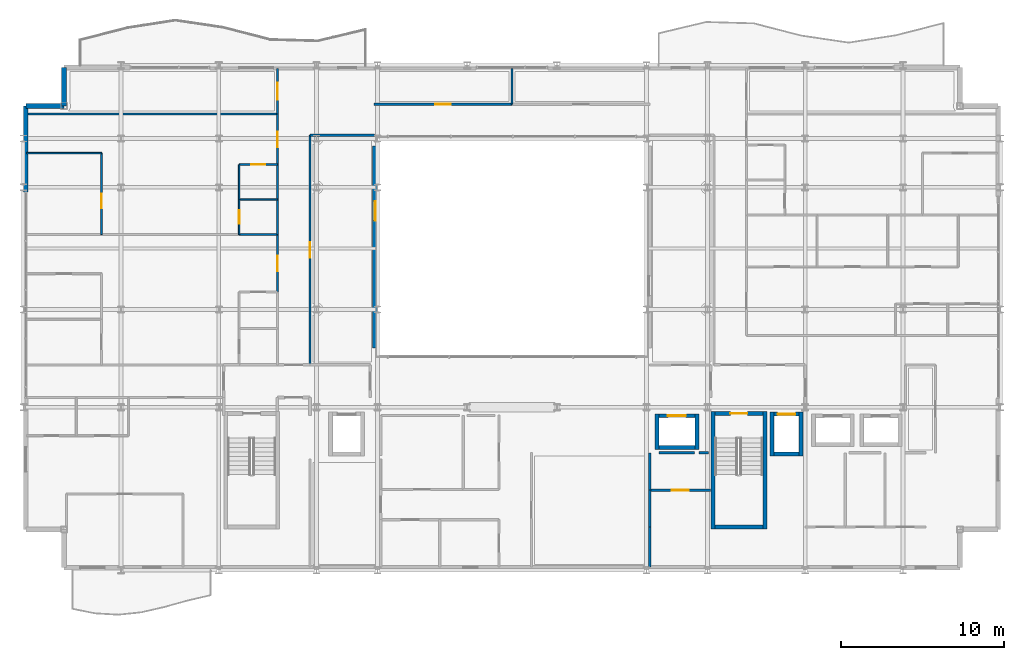
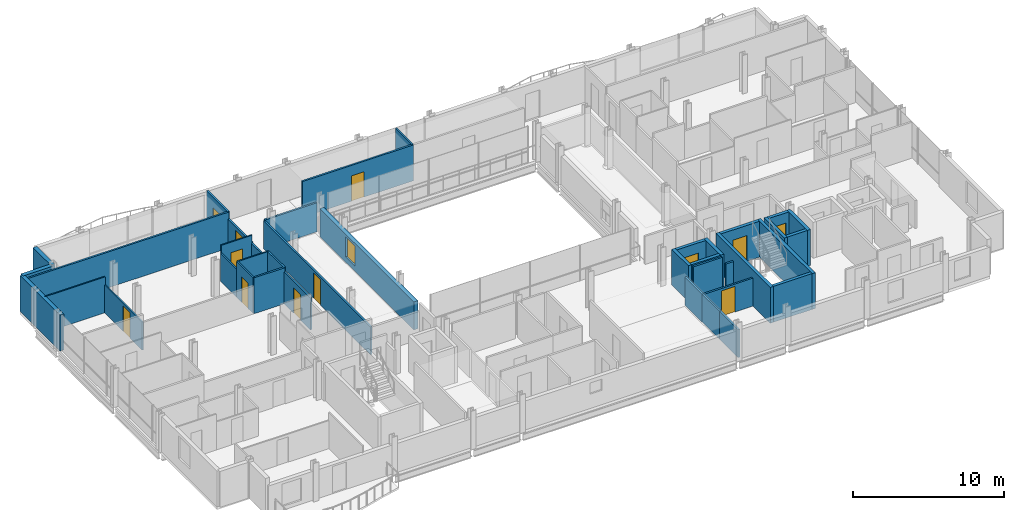
# One storey, part 35 of 41: 39 walls, 12 doors, 1 window, 13 openings.
"""IFC4 building model written with IfcOpenShell, lengths in metres."""

from ifc_helpers import new_model, si_unit, direction, frame, frame_2d, origin, place, context, subcontext, project, spatial, rectangle, extrude, material, layer, layer_set, type_object, element, fill, save


model = new_model("IFC4")

# Units and contexts
model_context = context("Model", 3, precision=1e-05, world=origin(), true_north=direction((0.0, 1.0)))
body_context = subcontext(model_context, "Body", "Model", "MODEL_VIEW")
ifc_project = project(units=[si_unit("LENGTHUNIT", "METRE"), si_unit("AREAUNIT", "SQUARE_METRE"), si_unit("VOLUMEUNIT", "CUBIC_METRE"), si_unit("PLANEANGLEUNIT", "RADIAN"), si_unit("MASSUNIT", "GRAM", prefix="KILO")], contexts=[model_context])

# Site, building, storey
site_placement = place(None, origin())
site = spatial("IfcSite", under=ifc_project, at=site_placement, CompositionType="ELEMENT")
building_placement = place(site_placement, origin())
building = spatial("IfcBuilding", under=site, at=building_placement, Name="Brevholm Reach", CompositionType="ELEMENT")
storey_placement = place(building_placement, frame((0.0, 0.0, 169.699951171875)))
storey = spatial("IfcBuildingStorey", under=building, at=storey_placement, Name="L51", CompositionType="ELEMENT", Elevation=169.699951171875)

# Walls
ifc_material_1 = material(Name="Concrete C45/55", Category="concrete")
ifc_layer_1 = layer(ifc_material_1, 0.239990234375)
ifc_layer_set_1 = layer_set([ifc_layer_1], Name="Concrete C45/55")
wall_type_1 = type_object("IfcWallType", Name="WAL-COR-240", PredefinedType="SHEAR", material=ifc_layer_set_1)
for number, where, z_axis, x_axis, name in (
    (1, (42.330078125, 2.5400390625, 0.0), (0.0, 0.0, 1.0), (0.0, 1.0, 0.0), "L51 Escape Stair ST-2 Core Wall W"),
    (2, (45.52001953125, 2.5400390625, 0.0), (0.0, 0.0, 1.0), (0.0, 1.0, 0.0), "L51 Escape Stair ST-2 Core Wall E"),
):
    element("IfcWall", number, at=place(storey_placement, frame(where, z_axis=z_axis, x_axis=x_axis)), inside=storey, type_object=wall_type_1, Name=name, PredefinedType="SHEAR", context=body_context, shape_type="SweptSolid", body=[
        extrude(rectangle(XDim=7.199951171875, YDim=0.239990234375, at=frame_2d((3.60009765625, 0.0))), origin(), (0.0, 0.0, 1.0), 2.89013671875),
    ])
wall_1_placement = place(storey_placement, frame((42.449951171875, 2.659912109375, 0.0), z_axis=(0.0, 0.0, 1.0), x_axis=(1.0, 0.0, 0.0)))
element("IfcWall", 3, at=wall_1_placement, inside=storey, type_object=wall_type_1, Name="L51 Escape Stair ST-2 Core Wall S", PredefinedType="SHEAR", context=body_context, shape_type="SweptSolid", body=[
    extrude(rectangle(XDim=2.949951171875, YDim=0.239990234375, at=frame_2d((1.47509765625, 0.0))), origin(), (0.0, 0.0, 1.0), 2.89013671875),
])

# Wall, opening, door
wall_2_placement = place(storey_placement, frame((45.39990234375, 9.6201171875, 0.0), z_axis=(0.0, 0.0, 1.0), x_axis=(-1.0, 0.0, 0.0)))
wall_2 = element("IfcWall", 4, at=wall_2_placement, inside=storey, type_object=wall_type_1, Name="L51 Escape Stair ST-2 Core Wall N", PredefinedType="SHEAR", context=body_context, shape_type="SweptSolid", body=[
    extrude(rectangle(XDim=2.949951171875, YDim=0.239990234375, at=frame_2d((1.47509765625, 0.0))), origin(), (0.0, 0.0, 1.0), 2.89013671875),
])
opening_1_placement = place(wall_2_placement, frame((0.949951171875, 0.0, 0.0)))
opening_1 = element("IfcOpeningElement", 5, at=opening_1_placement, cuts=wall_2, Name="Opening SD-ST-2", PredefinedType="OPENING", context=body_context, shape_type="SweptSolid", body=[
    extrude(rectangle(XDim=1.050048828125, YDim=2.06005859375, at=frame_2d((0.52490234375, 1.030029296875))), frame((0.0, 0.1298828125, 0.0), z_axis=(0.0, -1.0, 0.0), x_axis=(1.0, 0.0, 0.0)), (0.0, 0.0, 1.0), 0.260009765625),
])
ifc_material_2 = material(Name="Hardwood-Lipped Steel-Core Fire and Smoke Door", Category="steel")
door_type_1 = type_object("IfcDoorType", Name="DOR-INT-FD60S", OperationType="NOTDEFINED", PredefinedType="DOOR", material=ifc_material_2)
door_1_placement = place(opening_1_placement, origin())
door_1 = element("IfcDoor", 6, at=door_1_placement, inside=storey, type_object=door_type_1, Name="L51 Protected Stair ST-2 Lobby Door", OperationType="SINGLE_SWING_RIGHT", OverallHeight=2.06005859375, OverallWidth=1.050048828125, PredefinedType="DOOR", context=body_context, shape_type="SweptSolid", body=[
    extrude(rectangle(XDim=1.050048828125, YDim=2.06005859375, at=frame_2d((0.52490234375, 1.030029296875))), frame((0.0, 0.02490234375, 0.0), z_axis=(0.0, -1.0, 0.0), x_axis=(1.0, 0.0, 0.0)), (0.0, 0.0, 1.0), 0.050048828125),
])
fill(opening_1, door_1)

# Walls
for number, where, z_axis, x_axis, name in (
    (7, (45.969970703125, 7.0, 0.0), (0.0, 0.0, 1.0), (0.0, 1.0, 0.0), "L51 Lift FFL-2 Shaft Wall W"),
    (8, (47.72998046875, 7.0, 0.0), (0.0, 0.0, 1.0), (0.0, 1.0, 0.0), "L51 Lift FFL-2 Shaft Wall E"),
):
    element("IfcWall", number, at=place(storey_placement, frame(where, z_axis=z_axis, x_axis=x_axis)), inside=storey, type_object=wall_type_1, Name=name, PredefinedType="SHEAR", context=body_context, shape_type="SweptSolid", body=[
        extrude(rectangle(XDim=2.699951171875, YDim=0.239990234375, at=frame_2d((1.35009765625, 0.0))), origin(), (0.0, 0.0, 1.0), 2.89013671875),
    ])
wall_3_placement = place(storey_placement, frame((46.090087890625, 7.1201171875, 0.0), z_axis=(0.0, 0.0, 1.0), x_axis=(1.0, 0.0, 0.0)))
element("IfcWall", 9, at=wall_3_placement, inside=storey, type_object=wall_type_1, Name="L51 Lift FFL-2 Shaft Wall S", PredefinedType="SHEAR", context=body_context, shape_type="SweptSolid", body=[
    extrude(rectangle(XDim=1.52001953125, YDim=0.239990234375, at=frame_2d((0.760009765625, 0.0))), origin(), (0.0, 0.0, 1.0), 2.89013671875),
])

# Wall, opening, door
wall_4_placement = place(storey_placement, frame((46.090087890625, 9.580078125, 0.0), z_axis=(0.0, 0.0, 1.0), x_axis=(1.0, 0.0, 0.0)))
wall_4 = element("IfcWall", 10, at=wall_4_placement, inside=storey, type_object=wall_type_1, Name="L51 Lift FFL-2 Shaft Wall N", PredefinedType="SHEAR", context=body_context, shape_type="SweptSolid", body=[
    extrude(rectangle(XDim=1.52001953125, YDim=0.239990234375, at=frame_2d((0.760009765625, 0.0))), origin(), (0.0, 0.0, 1.0), 2.89013671875),
])
opening_2_placement = place(wall_4_placement, frame((0.2099609375, 0.0, 0.0)))
opening_2 = element("IfcOpeningElement", 11, at=opening_2_placement, cuts=wall_4, Name="Opening LD-FFL-2", PredefinedType="OPENING", context=body_context, shape_type="SweptSolid", body=[
    extrude(rectangle(XDim=1.10009765625, YDim=2.06005859375, at=frame_2d((0.550048828125, 1.030029296875))), frame((0.0, 0.1298828125, 0.0), z_axis=(0.0, -1.0, 0.0), x_axis=(1.0, 0.0, 0.0)), (0.0, 0.0, 1.0), 0.260009765625),
])
ifc_material_3 = material(Name="Brushed Stainless Steel Fire-Rated Sliding Lift Door", Category="steel")
door_type_2 = type_object("IfcDoorType", Name="DOR-LFT-1100", OperationType="NOTDEFINED", PredefinedType="DOOR", material=ifc_material_3)
door_2_placement = place(opening_2_placement, origin())
door_2 = element("IfcDoor", 12, at=door_2_placement, inside=storey, type_object=door_type_2, Name="L51 Lift FFL-2 Sliding Landing Door", OperationType="SLIDING_TO_RIGHT", OverallHeight=2.06005859375, OverallWidth=1.10009765625, PredefinedType="DOOR", context=body_context, shape_type="SweptSolid", body=[
    extrude(rectangle(XDim=1.10009765625, YDim=2.06005859375, at=frame_2d((0.550048828125, 1.030029296875))), frame((0.0, 0.02490234375, 0.0), z_axis=(0.0, -1.0, 0.0), x_axis=(1.0, 0.0, 0.0)), (0.0, 0.0, 1.0), 0.050048828125),
])
fill(opening_2, door_2)

# Walls
for number, where, z_axis, x_axis, name in (
    (13, (38.889892578125, 7.39990234375, 0.0), (0.0, 0.0, 1.0), (0.0, 1.0, 0.0), "L51 Lift PL-S1 Shaft Wall W"),
    (14, (41.35009765625, 7.39990234375, 0.0), (0.0, 0.0, 1.0), (0.0, 1.0, 0.0), "L51 Lift PL-S1 Shaft Wall E"),
):
    element("IfcWall", number, at=place(storey_placement, frame(where, z_axis=z_axis, x_axis=x_axis)), inside=storey, type_object=wall_type_1, Name=name, PredefinedType="SHEAR", context=body_context, shape_type="SweptSolid", body=[
        extrude(rectangle(XDim=2.2001953125, YDim=0.239990234375, at=frame_2d((1.10009765625, 0.0))), origin(), (0.0, 0.0, 1.0), 2.89013671875),
    ])
wall_5_placement = place(storey_placement, frame((39.010009765625, 7.52001953125, 0.0), z_axis=(0.0, 0.0, 1.0), x_axis=(1.0, 0.0, 0.0)))
element("IfcWall", 15, at=wall_5_placement, inside=storey, type_object=wall_type_1, Name="L51 Lift PL-S1 Shaft Wall S", PredefinedType="SHEAR", context=body_context, shape_type="SweptSolid", body=[
    extrude(rectangle(XDim=2.219970703125, YDim=0.239990234375, at=frame_2d((1.10986328125, 0.0))), origin(), (0.0, 0.0, 1.0), 2.89013671875),
])

# Wall, opening, door
wall_6_placement = place(storey_placement, frame((39.010009765625, 9.47998046875, 0.0), z_axis=(0.0, 0.0, 1.0), x_axis=(1.0, 0.0, 0.0)))
wall_6 = element("IfcWall", 16, at=wall_6_placement, inside=storey, type_object=wall_type_1, Name="L51 Lift PL-S1 Shaft Wall N", PredefinedType="SHEAR", context=body_context, shape_type="SweptSolid", body=[
    extrude(rectangle(XDim=2.219970703125, YDim=0.239990234375, at=frame_2d((1.10986328125, 0.0))), origin(), (0.0, 0.0, 1.0), 2.89013671875),
])
opening_3_placement = place(wall_6_placement, frame((0.56005859375, 0.0, 0.0)))
opening_3 = element("IfcOpeningElement", 17, at=opening_3_placement, cuts=wall_6, Name="Opening LD-PL-S1", PredefinedType="OPENING", context=body_context, shape_type="SweptSolid", body=[
    extrude(rectangle(XDim=1.10009765625, YDim=2.06005859375, at=frame_2d((0.550048828125, 1.030029296875))), frame((0.0, 0.1298828125, 0.0), z_axis=(0.0, -1.0, 0.0), x_axis=(1.0, 0.0, 0.0)), (0.0, 0.0, 1.0), 0.260009765625),
])
door_3_placement = place(opening_3_placement, origin())
door_3 = element("IfcDoor", 18, at=door_3_placement, inside=storey, type_object=door_type_2, Name="L51 Lift PL-S1 Sliding Landing Door", OperationType="SLIDING_TO_LEFT", OverallHeight=2.06005859375, OverallWidth=1.10009765625, PredefinedType="DOOR", context=body_context, shape_type="SweptSolid", body=[
    extrude(rectangle(XDim=1.10009765625, YDim=2.06005859375, at=frame_2d((0.550048828125, 1.030029296875))), frame((0.0, 0.02490234375, 0.0), z_axis=(0.0, -1.0, 0.0), x_axis=(1.0, 0.0, 0.0)), (0.0, 0.0, 1.0), 0.050048828125),
])
fill(opening_3, door_3)

# Walls
ifc_material_4 = material(Name="Concrete C40/50", Category="concrete")
ifc_layer_2 = layer(ifc_material_4, 0.300048828125)
ifc_layer_set_2 = layer_set([ifc_layer_2], Name="Concrete C40/50")
wall_type_2 = type_object("IfcWallType", Name="WAL-EXT-300", PredefinedType="STANDARD", material=ifc_layer_set_2)
for number, where, z_axis, x_axis, name in (
    (19, (2.5, 30.85009765625, 0.0), (0.0, 0.0, 1.0), (0.0, -1.0, 0.0), "L51 Facade Wall WAL-L51-CNW1"),
    (20, (2.5, 28.5, 0.0), (0.0, 0.0, 1.0), (-1.0, 0.0, 0.0), "L51 Facade Wall WAL-L51-CNW2"),
):
    element("IfcWall", number, at=place(storey_placement, frame(where, z_axis=z_axis, x_axis=x_axis)), inside=storey, type_object=wall_type_2, Name=name, PredefinedType="STANDARD", context=body_context, shape_type="SweptSolid", body=[
        extrude(rectangle(XDim=2.35009765625, YDim=0.300048828125, at=frame_2d((1.175048828125, 0.0))), origin(), (0.0, 0.0, 1.0), 2.89013671875),
    ])
wall_7_placement = place(storey_placement, frame((0.14990234375, 28.5, 0.0), z_axis=(0.0, 0.0, 1.0), x_axis=(0.0, -1.0, 0.0)))
element("IfcWall", 21, at=wall_7_placement, inside=storey, type_object=wall_type_2, Name="L51 Facade Wall WAL-L51-W-N", PredefinedType="STANDARD", context=body_context, shape_type="SweptSolid", body=[
    extrude(rectangle(XDim=5.280029296875, YDim=0.300048828125, at=frame_2d((2.64013671875, 0.0))), origin(), (0.0, 0.0, 1.0), 2.89013671875),
])

# Wall, opening, window
wall_8_placement = place(storey_placement, frame((21.60009765625, 26.050048828125, 0.0), z_axis=(0.0, 0.0, 1.0), x_axis=(0.0, -1.0, 0.0)))
wall_8 = element("IfcWall", 22, at=wall_8_placement, inside=storey, type_object=wall_type_2, Name="L51 Facade Wall WAL-L51-AT-W", PredefinedType="STANDARD", context=body_context, shape_type="SweptSolid", body=[
    extrude(rectangle(XDim=12.400146484375, YDim=0.300048828125, at=frame_2d((6.2001953125, 0.0))), origin(), (0.0, 0.0, 1.0), 2.2529296875),
])
opening_4_placement = place(wall_8_placement, frame((3.39990234375, 0.0, 0.43310546875)))
opening_4 = element("IfcOpeningElement", 23, at=opening_4_placement, cuts=wall_8, Name="Opening WN-08", PredefinedType="OPENING", context=body_context, shape_type="SweptSolid", body=[
    extrude(rectangle(XDim=1.199951171875, YDim=1.60009765625, at=frame_2d((0.60009765625, 0.800048828125))), frame((0.0, 0.159912109375, 0.0), z_axis=(0.0, -1.0, 0.0), x_axis=(1.0, 0.0, 0.0)), (0.0, 0.0, 1.0), 0.320068359375),
])
ifc_material_5 = material(Name="Dark Anodised Aluminium and Solar-Control IGU Glass", Category="aluminium")
window_type = type_object("IfcWindowType", Name="WIN-RES-1200", PartitioningType="SINGLE_PANEL", PredefinedType="WINDOW", material=ifc_material_5)
window_placement = place(opening_4_placement, origin())
window = element("IfcWindow", 24, at=window_placement, inside=storey, type_object=window_type, Name="L51 Window WIN-L51-AT-W1", OverallHeight=1.60009765625, OverallWidth=1.199951171875, PartitioningType="SINGLE_PANEL", PredefinedType="WINDOW", context=body_context, shape_type="SweptSolid", body=[
    extrude(rectangle(XDim=1.199951171875, YDim=1.60009765625, at=frame_2d((0.60009765625, 0.800048828125))), frame((0.0, 0.030029296875, 0.0), z_axis=(0.0, -1.0, 0.0), x_axis=(1.0, 0.0, 0.0)), (0.0, 0.0, 1.0), 0.06005859375),
])
fill(opening_4, window)

# Wall
ifc_material_6 = material(Name="Moisture-Resistant Acoustic Gypsum Stud Partition 100 mm", Category="gypsum")
ifc_layer_3 = layer(ifc_material_6, 0.10009765625)
ifc_layer_set_3 = layer_set([ifc_layer_3], Name="Moisture-Resistant Acoustic Gypsum Stud Partition 100 mm")
wall_type_3 = type_object("IfcWallType", Name="WAL-PRT-100", PredefinedType="PARTITIONING", material=ifc_layer_set_3)
wall_9_placement = place(storey_placement, frame((13.25, 22.75, 0.0), z_axis=(0.0, 0.0, 1.0), x_axis=(1.0, 0.0, 0.0)))
element("IfcWall", 25, at=wall_9_placement, inside=storey, type_object=wall_type_3, Name="L51 Internal Partition 087", PredefinedType="PARTITIONING", context=body_context, shape_type="SweptSolid", body=[
    extrude(rectangle(XDim=2.345947265625, YDim=0.10009765625, at=frame_2d((1.1728515625, 0.0))), origin(), (0.0, 0.0, 1.0), 2.89013671875),
])

# Wall, opening, door
wall_10_placement = place(storey_placement, frame((13.25, 20.60400390625, 0.0), z_axis=(0.0, 0.0, 1.0), x_axis=(0.0, 1.0, 0.0)))
wall_10 = element("IfcWall", 26, at=wall_10_placement, inside=storey, type_object=wall_type_3, Name="L51 Internal Partition 088", PredefinedType="PARTITIONING", context=body_context, shape_type="SweptSolid", body=[
    extrude(rectangle(XDim=2.14599609375, YDim=0.10009765625, at=frame_2d((1.072998046875, 0.0))), origin(), (0.0, 0.0, 1.0), 2.89013671875),
])
opening_5_placement = place(wall_10_placement, frame((0.6630859375, 0.0, 0.0)))
opening_5 = element("IfcOpeningElement", 27, at=opening_5_placement, cuts=wall_10, Name="Opening ID-03", PredefinedType="OPENING", context=body_context, shape_type="SweptSolid", body=[
    extrude(rectangle(XDim=0.820068359375, YDim=2.02001953125, at=frame_2d((0.41015625, 1.010009765625))), frame((0.0, 0.06005859375, 0.0), z_axis=(0.0, -1.0, 0.0), x_axis=(1.0, 0.0, 0.0)), (0.0, 0.0, 1.0), 0.1201171875),
])
ifc_material_7 = material(Name="Moisture-Resistant Painted Timber Internal Bathroom Door", Category="wood")
door_type_3 = type_object("IfcDoorType", Name="DOR-BATH-820", OperationType="NOTDEFINED", PredefinedType="DOOR", material=ifc_material_7)
door_4_placement = place(opening_5_placement, origin())
door_4 = element("IfcDoor", 28, at=door_4_placement, inside=storey, type_object=door_type_3, Name="L51 Internal Door 038", OperationType="SINGLE_SWING_LEFT", OverallHeight=2.02001953125, OverallWidth=0.820068359375, PredefinedType="DOOR", context=body_context, shape_type="SweptSolid", body=[
    extrude(rectangle(XDim=0.820068359375, YDim=2.02001953125, at=frame_2d((0.41015625, 1.010009765625))), frame((0.0, 0.02490234375, 0.0), z_axis=(0.0, -1.0, 0.0), x_axis=(1.0, 0.0, 0.0)), (0.0, 0.0, 1.0), 0.050048828125),
])
fill(opening_5, door_4)

wall_11_placement = place(storey_placement, frame((13.25, 24.89990234375, 0.0), z_axis=(0.0, 0.0, 1.0), x_axis=(1.0, 0.0, 0.0)))
wall_11 = element("IfcWall", 29, at=wall_11_placement, inside=storey, type_object=wall_type_3, Name="L51 Internal Partition 089", PredefinedType="PARTITIONING", context=body_context, shape_type="SweptSolid", body=[
    extrude(rectangle(XDim=2.345947265625, YDim=0.10009765625, at=frame_2d((1.1728515625, 0.0))), origin(), (0.0, 0.0, 1.0), 2.89013671875),
])
opening_6_placement = place(wall_11_placement, frame((0.73291015625, 0.0, 0.0)))
opening_6 = element("IfcOpeningElement", 30, at=opening_6_placement, cuts=wall_11, Name="Opening ID-01", PredefinedType="OPENING", context=body_context, shape_type="SweptSolid", body=[
    extrude(rectangle(XDim=0.8798828125, YDim=2.0400390625, at=frame_2d((0.43994140625, 1.02001953125))), frame((0.0, 0.06005859375, 0.0), z_axis=(0.0, -1.0, 0.0), x_axis=(1.0, 0.0, 0.0)), (0.0, 0.0, 1.0), 0.1201171875),
])
ifc_material_8 = material(Name="Lacquered Ash Solid-Core Acoustic Internal Door", Category="timber")
door_type_4 = type_object("IfcDoorType", Name="DOR-INT-880", OperationType="NOTDEFINED", PredefinedType="DOOR", material=ifc_material_8)
door_5_placement = place(opening_6_placement, origin())
door_5 = element("IfcDoor", 31, at=door_5_placement, inside=storey, type_object=door_type_4, Name="L51 Internal Door 039", OperationType="SINGLE_SWING_RIGHT", OverallHeight=2.0400390625, OverallWidth=0.8798828125, PredefinedType="DOOR", context=body_context, shape_type="SweptSolid", body=[
    extrude(rectangle(XDim=0.8798828125, YDim=2.0400390625, at=frame_2d((0.43994140625, 1.02001953125))), frame((0.0, 0.02490234375, 0.0), z_axis=(0.0, -1.0, 0.0), x_axis=(1.0, 0.0, 0.0)), (0.0, 0.0, 1.0), 0.050048828125),
])
fill(opening_6, door_5)

# Wall
wall_12_placement = place(storey_placement, frame((13.25, 22.75390625, 0.0), z_axis=(0.0, 0.0, 1.0), x_axis=(0.0, 1.0, 0.0)))
element("IfcWall", 32, at=wall_12_placement, inside=storey, type_object=wall_type_3, Name="L51 Internal Partition 090", PredefinedType="PARTITIONING", context=body_context, shape_type="SweptSolid", body=[
    extrude(rectangle(XDim=2.14599609375, YDim=0.10009765625, at=frame_2d((1.072998046875, 0.0))), origin(), (0.0, 0.0, 1.0), 2.2529296875),
])

# Wall, opening, door
wall_13_placement = place(storey_placement, frame((4.800048828125, 20.60400390625, 0.0), z_axis=(0.0, 0.0, 1.0), x_axis=(0.0, 1.0, 0.0)))
wall_13 = element("IfcWall", 33, at=wall_13_placement, inside=storey, type_object=wall_type_3, Name="L51 Internal Partition 091", PredefinedType="PARTITIONING", context=body_context, shape_type="SweptSolid", body=[
    extrude(rectangle(XDim=4.99609375, YDim=0.10009765625, at=frame_2d((2.498046875, 0.0))), origin(), (0.0, 0.0, 1.0), 2.2529296875),
])
opening_7_placement = place(wall_13_placement, frame((1.617919921875, 0.0, 0.0)))
opening_7 = element("IfcOpeningElement", 34, at=opening_7_placement, cuts=wall_13, Name="Opening ID-01", PredefinedType="OPENING", context=body_context, shape_type="SweptSolid", body=[
    extrude(rectangle(XDim=0.8798828125, YDim=2.0400390625, at=frame_2d((0.43994140625, 1.02001953125))), frame((0.0, 0.06005859375, 0.0), z_axis=(0.0, -1.0, 0.0), x_axis=(1.0, 0.0, 0.0)), (0.0, 0.0, 1.0), 0.1201171875),
])
door_6_placement = place(opening_7_placement, origin())
door_6 = element("IfcDoor", 35, at=door_6_placement, inside=storey, type_object=door_type_4, Name="L51 Internal Door 040", OperationType="SINGLE_SWING_LEFT", OverallHeight=2.0400390625, OverallWidth=0.8798828125, PredefinedType="DOOR", context=body_context, shape_type="SweptSolid", body=[
    extrude(rectangle(XDim=0.8798828125, YDim=2.0400390625, at=frame_2d((0.43994140625, 1.02001953125))), frame((0.0, 0.02490234375, 0.0), z_axis=(0.0, -1.0, 0.0), x_axis=(1.0, 0.0, 0.0)), (0.0, 0.0, 1.0), 0.050048828125),
])
fill(opening_7, door_6)

# Walls
wall_14_placement = place(storey_placement, frame((0.199951171875, 25.60009765625, 0.0), z_axis=(0.0, 0.0, 1.0), x_axis=(1.0, 0.0, 0.0)))
element("IfcWall", 36, at=wall_14_placement, inside=storey, type_object=wall_type_3, Name="L51 Internal Partition 092", PredefinedType="PARTITIONING", context=body_context, shape_type="SweptSolid", body=[
    extrude(rectangle(XDim=4.60009765625, YDim=0.10009765625, at=frame_2d((2.300048828125, 0.0))), origin(), (0.0, 0.0, 1.0), 2.89013671875),
])
wall_15_placement = place(storey_placement, frame((30.0, 28.60400390625, 0.0), z_axis=(0.0, 0.0, 1.0), x_axis=(0.0, 1.0, 0.0)))
element("IfcWall", 37, at=wall_15_placement, inside=storey, type_object=wall_type_3, Name="L51 Internal Partition 117", PredefinedType="PARTITIONING", context=body_context, shape_type="SweptSolid", body=[
    extrude(rectangle(XDim=2.196044921875, YDim=0.10009765625, at=frame_2d((1.09814453125, 0.0))), origin(), (0.0, 0.0, 1.0), 2.89013671875),
])
ifc_material_9 = material(Name="Twin-Stud Acoustic Fire-Rated Gypsum Partition 140 mm", Category="gypsum")
ifc_layer_4 = layer(ifc_material_9, 0.139892578125)
ifc_layer_set_4 = layer_set([ifc_layer_4], Name="Twin-Stud Acoustic Fire-Rated Gypsum Partition 140 mm")
wall_type_4 = type_object("IfcWallType", Name="WAL-PRT-140", PredefinedType="PARTITIONING", material=ifc_layer_set_4)
wall_16_placement = place(storey_placement, frame((38.449951171875, 0.179931640625, 0.0), z_axis=(0.0, 0.0, 1.0), x_axis=(0.0, 1.0, 0.0)))
element("IfcWall", 38, at=wall_16_placement, inside=storey, type_object=wall_type_4, Name="L51 Internal Partition 013", PredefinedType="PARTITIONING", context=body_context, shape_type="SweptSolid", body=[
    extrude(rectangle(XDim=2.4814453125, YDim=0.139892578125, at=frame_2d((1.24072265625, 0.0))), origin(), (0.0, 0.0, 1.0), 2.2529296875),
])
wall_17_placement = place(storey_placement, frame((38.449951171875, 2.642578125, 0.0), z_axis=(0.0, 0.0, 1.0), x_axis=(0.0, 1.0, 0.0)))
element("IfcWall", 39, at=wall_17_placement, inside=storey, type_object=wall_type_4, Name="L51 Internal Partition 014", PredefinedType="PARTITIONING", context=body_context, shape_type="SweptSolid", body=[
    extrude(rectangle(XDim=2.268798828125, YDim=0.139892578125, at=frame_2d((1.13427734375, 0.0))), origin(), (0.0, 0.0, 1.0), 2.2529296875),
])
wall_18_placement = place(storey_placement, frame((38.449951171875, 4.892578125, 0.0), z_axis=(0.0, 0.0, 1.0), x_axis=(0.0, 1.0, 0.0)))
element("IfcWall", 40, at=wall_18_placement, inside=storey, type_object=wall_type_4, Name="L51 Internal Partition 015", PredefinedType="PARTITIONING", context=body_context, shape_type="SweptSolid", body=[
    extrude(rectangle(XDim=2.307373046875, YDim=0.139892578125, at=frame_2d((1.15380859375, 0.0))), origin(), (0.0, 0.0, 1.0), 2.2529296875),
])

# Wall, opening, door
wall_19_placement = place(storey_placement, frame((38.4541015625, 4.89990234375, 0.0), z_axis=(0.0, 0.0, 1.0), x_axis=(1.0, 0.0, 0.0)))
wall_19 = element("IfcWall", 41, at=wall_19_placement, inside=storey, type_object=wall_type_4, Name="L51 Internal Partition 024", PredefinedType="PARTITIONING", context=body_context, shape_type="SweptSolid", body=[
    extrude(rectangle(XDim=3.745849609375, YDim=0.139892578125, at=frame_2d((1.873046875, 0.0))), origin(), (0.0, 0.0, 1.0), 2.2529296875),
])
opening_8_placement = place(wall_19_placement, frame((1.347900390625, 0.0, 0.0)))
opening_8 = element("IfcOpeningElement", 42, at=opening_8_placement, cuts=wall_19, Name="Opening FD-01", PredefinedType="OPENING", context=body_context, shape_type="SweptSolid", body=[
    extrude(rectangle(XDim=1.050048828125, YDim=2.06005859375, at=frame_2d((0.52490234375, 1.030029296875))), frame((0.0, 0.079833984375, 0.0), z_axis=(0.0, -1.0, 0.0), x_axis=(1.0, 0.0, 0.0)), (0.0, 0.0, 1.0), 0.159912109375),
])
door_7_placement = place(opening_8_placement, origin())
door_7 = element("IfcDoor", 43, at=door_7_placement, inside=storey, type_object=door_type_1, Name="L51 Internal Door 012", OperationType="SINGLE_SWING_LEFT", OverallHeight=2.06005859375, OverallWidth=1.050048828125, PredefinedType="DOOR", context=body_context, shape_type="SweptSolid", body=[
    extrude(rectangle(XDim=1.050048828125, YDim=2.06005859375, at=frame_2d((0.52490234375, 1.030029296875))), frame((0.0, 0.02490234375, 0.0), z_axis=(0.0, -1.0, 0.0), x_axis=(1.0, 0.0, 0.0)), (0.0, 0.0, 1.0), 0.050048828125),
])
fill(opening_8, door_7)

wall_20_placement = place(storey_placement, frame((15.60009765625, 17.064697265625, 0.0), z_axis=(0.0, 0.0, 1.0), x_axis=(0.0, 1.0, 0.0)))
wall_20 = element("IfcWall", 44, at=wall_20_placement, inside=storey, type_object=wall_type_4, Name="L51 Internal Partition 044", PredefinedType="PARTITIONING", context=body_context, shape_type="SweptSolid", body=[
    extrude(rectangle(XDim=3.546630859375, YDim=0.139892578125, at=frame_2d((1.7734375, 0.0))), origin(), (0.0, 0.0, 1.0), 2.561767578125),
])
opening_9_placement = place(wall_20_placement, frame((1.29833984375, 0.0, 0.0)))
opening_9 = element("IfcOpeningElement", 45, at=opening_9_placement, cuts=wall_20, Name="Opening ID-30", PredefinedType="OPENING", context=body_context, shape_type="SweptSolid", body=[
    extrude(rectangle(XDim=0.949951171875, YDim=2.050048828125, at=frame_2d((0.47509765625, 1.02490234375))), frame((0.0, 0.079833984375, 0.0), z_axis=(0.0, -1.0, 0.0), x_axis=(1.0, 0.0, 0.0)), (0.0, 0.0, 1.0), 0.159912109375),
])
ifc_material_10 = material(Name="European Oak Veneered Solid-Core Fire Entrance Door", Category="timber")
door_type_5 = type_object("IfcDoorType", Name="DOR-FLT-FD30S", OperationType="NOTDEFINED", PredefinedType="DOOR", material=ifc_material_10)
door_8_placement = place(opening_9_placement, origin())
door_8 = element("IfcDoor", 46, at=door_8_placement, inside=storey, type_object=door_type_5, Name="L51 Internal Door 021", OperationType="SINGLE_SWING_RIGHT", OverallHeight=2.050048828125, OverallWidth=0.949951171875, PredefinedType="DOOR", context=body_context, shape_type="SweptSolid", body=[
    extrude(rectangle(XDim=0.949951171875, YDim=2.050048828125, at=frame_2d((0.47509765625, 1.02490234375))), frame((0.0, 0.02490234375, 0.0), z_axis=(0.0, -1.0, 0.0), x_axis=(1.0, 0.0, 0.0)), (0.0, 0.0, 1.0), 0.050048828125),
])
fill(opening_9, door_8)

# Walls
wall_21_placement = place(storey_placement, frame((15.60009765625, 20.5927734375, 0.0), z_axis=(0.0, 0.0, 1.0), x_axis=(0.0, 1.0, 0.0)))
element("IfcWall", 47, at=wall_21_placement, inside=storey, type_object=wall_type_4, Name="L51 Internal Partition 045", PredefinedType="PARTITIONING", context=body_context, shape_type="SweptSolid", body=[
    extrude(rectangle(XDim=2.16845703125, YDim=0.139892578125, at=frame_2d((1.084228515625, 0.0))), origin(), (0.0, 0.0, 1.0), 2.89013671875),
])
wall_22_placement = place(storey_placement, frame((15.60009765625, 22.74267578125, 0.0), z_axis=(0.0, 0.0, 1.0), x_axis=(0.0, 1.0, 0.0)))
element("IfcWall", 48, at=wall_22_placement, inside=storey, type_object=wall_type_4, Name="L51 Internal Partition 046", PredefinedType="PARTITIONING", context=body_context, shape_type="SweptSolid", body=[
    extrude(rectangle(XDim=2.168701171875, YDim=0.139892578125, at=frame_2d((1.08447265625, 0.0))), origin(), (0.0, 0.0, 1.0), 2.2529296875),
])

# Wall, opening, door
wall_23_placement = place(storey_placement, frame((15.60009765625, 24.892578125, 0.0), z_axis=(0.0, 0.0, 1.0), x_axis=(0.0, 1.0, 0.0)))
wall_23 = element("IfcWall", 49, at=wall_23_placement, inside=storey, type_object=wall_type_4, Name="L51 Internal Partition 047", PredefinedType="PARTITIONING", context=body_context, shape_type="SweptSolid", body=[
    extrude(rectangle(XDim=3.11865234375, YDim=0.139892578125, at=frame_2d((1.559326171875, 0.0))), origin(), (0.0, 0.0, 1.0), 2.33203125),
])
opening_10_placement = place(wall_23_placement, frame((1.084228515625, 0.0, 0.0)))
opening_10 = element("IfcOpeningElement", 50, at=opening_10_placement, cuts=wall_23, Name="Opening ID-30", PredefinedType="OPENING", context=body_context, shape_type="SweptSolid", body=[
    extrude(rectangle(XDim=0.949951171875, YDim=2.050048828125, at=frame_2d((0.47509765625, 1.02490234375))), frame((0.0, 0.079833984375, 0.0), z_axis=(0.0, -1.0, 0.0), x_axis=(1.0, 0.0, 0.0)), (0.0, 0.0, 1.0), 0.159912109375),
])
door_9_placement = place(opening_10_placement, origin())
door_9 = element("IfcDoor", 51, at=door_9_placement, inside=storey, type_object=door_type_5, Name="L51 Internal Door 022", OperationType="SINGLE_SWING_LEFT", OverallHeight=2.050048828125, OverallWidth=0.949951171875, PredefinedType="DOOR", context=body_context, shape_type="SweptSolid", body=[
    extrude(rectangle(XDim=0.949951171875, YDim=2.050048828125, at=frame_2d((0.47509765625, 1.02490234375))), frame((0.0, 0.02490234375, 0.0), z_axis=(0.0, -1.0, 0.0), x_axis=(1.0, 0.0, 0.0)), (0.0, 0.0, 1.0), 0.050048828125),
])
fill(opening_10, door_9)

wall_24_placement = place(storey_placement, frame((17.60009765625, 12.60400390625, 0.0), z_axis=(0.0, 0.0, 1.0), x_axis=(0.0, 1.0, 0.0)))
wall_24 = element("IfcWall", 52, at=wall_24_placement, inside=storey, type_object=wall_type_4, Name="L51 Internal Partition 048", PredefinedType="PARTITIONING", context=body_context, shape_type="SweptSolid", body=[
    extrude(rectangle(XDim=14.103271484375, YDim=0.139892578125, at=frame_2d((7.0517578125, 0.0))), origin(), (0.0, 0.0, 1.0), 2.2529296875),
])
opening_11_placement = place(wall_24_placement, frame((6.57666015625, 0.0, 0.0)))
opening_11 = element("IfcOpeningElement", 53, at=opening_11_placement, cuts=wall_24, Name="Opening ID-30", PredefinedType="OPENING", context=body_context, shape_type="SweptSolid", body=[
    extrude(rectangle(XDim=0.949951171875, YDim=2.050048828125, at=frame_2d((0.47509765625, 1.02490234375))), frame((0.0, 0.079833984375, 0.0), z_axis=(0.0, -1.0, 0.0), x_axis=(1.0, 0.0, 0.0)), (0.0, 0.0, 1.0), 0.159912109375),
])
door_10_placement = place(opening_11_placement, origin())
door_10 = element("IfcDoor", 54, at=door_10_placement, inside=storey, type_object=door_type_5, Name="L51 Internal Door 023", OperationType="SINGLE_SWING_RIGHT", OverallHeight=2.050048828125, OverallWidth=0.949951171875, PredefinedType="DOOR", context=body_context, shape_type="SweptSolid", body=[
    extrude(rectangle(XDim=0.949951171875, YDim=2.050048828125, at=frame_2d((0.47509765625, 1.02490234375))), frame((0.0, 0.02490234375, 0.0), z_axis=(0.0, -1.0, 0.0), x_axis=(1.0, 0.0, 0.0)), (0.0, 0.0, 1.0), 0.050048828125),
])
fill(opening_11, door_10)

wall_25_placement = place(storey_placement, frame((15.60009765625, 27.99267578125, 0.0), z_axis=(0.0, 0.0, 1.0), x_axis=(0.0, 1.0, 0.0)))
wall_25 = element("IfcWall", 55, at=wall_25_placement, inside=storey, type_object=wall_type_4, Name="L51 Internal Partition 049", PredefinedType="PARTITIONING", context=body_context, shape_type="SweptSolid", body=[
    extrude(rectangle(XDim=2.807373046875, YDim=0.139892578125, at=frame_2d((1.40380859375, 0.0))), origin(), (0.0, 0.0, 1.0), 2.89013671875),
])
opening_12_placement = place(wall_25_placement, frame((0.878662109375, 0.0, 0.0)))
opening_12 = element("IfcOpeningElement", 56, at=opening_12_placement, cuts=wall_25, Name="Opening FD-01", PredefinedType="OPENING", context=body_context, shape_type="SweptSolid", body=[
    extrude(rectangle(XDim=1.050048828125, YDim=2.06005859375, at=frame_2d((0.52490234375, 1.030029296875))), frame((0.0, 0.079833984375, 0.0), z_axis=(0.0, -1.0, 0.0), x_axis=(1.0, 0.0, 0.0)), (0.0, 0.0, 1.0), 0.159912109375),
])
door_11_placement = place(opening_12_placement, origin())
door_11 = element("IfcDoor", 57, at=door_11_placement, inside=storey, type_object=door_type_1, Name="L51 Internal Door 024", OperationType="SINGLE_SWING_LEFT", OverallHeight=2.06005859375, OverallWidth=1.050048828125, PredefinedType="DOOR", context=body_context, shape_type="SweptSolid", body=[
    extrude(rectangle(XDim=1.050048828125, YDim=2.06005859375, at=frame_2d((0.52490234375, 1.030029296875))), frame((0.0, 0.02490234375, 0.0), z_axis=(0.0, -1.0, 0.0), x_axis=(1.0, 0.0, 0.0)), (0.0, 0.0, 1.0), 0.050048828125),
])
fill(opening_12, door_11)

# Wall
wall_26_placement = place(storey_placement, frame((17.60400390625, 26.699951171875, 0.0), z_axis=(0.0, 0.0, 1.0), x_axis=(1.0, 0.0, 0.0)))
element("IfcWall", 58, at=wall_26_placement, inside=storey, type_object=wall_type_4, Name="L51 Internal Partition 060", PredefinedType="PARTITIONING", context=body_context, shape_type="SweptSolid", body=[
    extrude(rectangle(XDim=3.957275390625, YDim=0.139892578125, at=frame_2d((1.978515625, 0.0))), origin(), (0.0, 0.0, 1.0), 2.33203125),
])

# Wall, opening, door
wall_27_placement = place(storey_placement, frame((21.542724609375, 28.60009765625, 0.0), z_axis=(0.0, 0.0, 1.0), x_axis=(1.0, 0.0, 0.0)))
wall_27 = element("IfcWall", 59, at=wall_27_placement, inside=storey, type_object=wall_type_4, Name="L51 Internal Partition 062", PredefinedType="PARTITIONING", context=body_context, shape_type="SweptSolid", body=[
    extrude(rectangle(XDim=8.468505859375, YDim=0.139892578125, at=frame_2d((4.234375, 0.0))), origin(), (0.0, 0.0, 1.0), 2.89013671875),
])
opening_13_placement = place(wall_27_placement, frame((3.75927734375, 0.0, 0.0)))
opening_13 = element("IfcOpeningElement", 60, at=opening_13_placement, cuts=wall_27, Name="Opening ID-30", PredefinedType="OPENING", context=body_context, shape_type="SweptSolid", body=[
    extrude(rectangle(XDim=0.949951171875, YDim=2.050048828125, at=frame_2d((0.47509765625, 1.02490234375))), frame((0.0, 0.079833984375, 0.0), z_axis=(0.0, -1.0, 0.0), x_axis=(1.0, 0.0, 0.0)), (0.0, 0.0, 1.0), 0.159912109375),
])
door_12_placement = place(opening_13_placement, origin())
door_12 = element("IfcDoor", 61, at=door_12_placement, inside=storey, type_object=door_type_5, Name="L51 Internal Door 028", OperationType="SINGLE_SWING_LEFT", OverallHeight=2.050048828125, OverallWidth=0.949951171875, PredefinedType="DOOR", context=body_context, shape_type="SweptSolid", body=[
    extrude(rectangle(XDim=0.949951171875, YDim=2.050048828125, at=frame_2d((0.47509765625, 1.02490234375))), frame((0.0, 0.02490234375, 0.0), z_axis=(0.0, -1.0, 0.0), x_axis=(1.0, 0.0, 0.0)), (0.0, 0.0, 1.0), 0.050048828125),
])
fill(opening_13, door_12)

# Walls
wall_28_placement = place(storey_placement, frame((13.23876953125, 20.60009765625, 0.0), z_axis=(0.0, 0.0, 1.0), x_axis=(1.0, 0.0, 0.0)))
element("IfcWall", 62, at=wall_28_placement, inside=storey, type_object=wall_type_4, Name="L51 Internal Partition 084", PredefinedType="PARTITIONING", context=body_context, shape_type="SweptSolid", body=[
    extrude(rectangle(XDim=2.357177734375, YDim=0.139892578125, at=frame_2d((1.1787109375, 0.0))), origin(), (0.0, 0.0, 1.0), 2.89013671875),
])
wall_29_placement = place(storey_placement, frame((0.199951171875, 28.0, 0.0), z_axis=(0.0, 0.0, 1.0), x_axis=(1.0, 0.0, 0.0)))
element("IfcWall", 63, at=wall_29_placement, inside=storey, type_object=wall_type_4, Name="L51 Internal Partition 093", PredefinedType="PARTITIONING", context=body_context, shape_type="SweptSolid", body=[
    extrude(rectangle(XDim=15.39599609375, YDim=0.139892578125, at=frame_2d((7.697998046875, 0.0))), origin(), (0.0, 0.0, 1.0), 2.89013671875),
])
wall_30_placement = place(storey_placement, frame((41.482666015625, 7.199951171875, 0.0), z_axis=(0.0, 0.0, 1.0), x_axis=(1.0, 0.0, 0.0)))
element("IfcWall", 64, at=wall_30_placement, inside=storey, type_object=wall_type_4, Name="L51 Internal Partition 121", PredefinedType="PARTITIONING", context=body_context, shape_type="SweptSolid", body=[
    extrude(rectangle(XDim=0.577392578125, YDim=0.139892578125, at=frame_2d((0.28857421875, 0.0))), origin(), (0.0, 0.0, 1.0), 2.2529296875),
])
wall_31_placement = place(storey_placement, frame((39.022705078125, 7.199951171875, 0.0), z_axis=(0.0, 0.0, 1.0), x_axis=(1.0, 0.0, 0.0)))
element("IfcWall", 65, at=wall_31_placement, inside=storey, type_object=wall_type_4, Name="L51 Internal Partition 122", PredefinedType="PARTITIONING", context=body_context, shape_type="SweptSolid", body=[
    extrude(rectangle(XDim=2.194580078125, YDim=0.139892578125, at=frame_2d((1.09716796875, 0.0))), origin(), (0.0, 0.0, 1.0), 2.89013671875),
])

save(model, "model.ifc")
